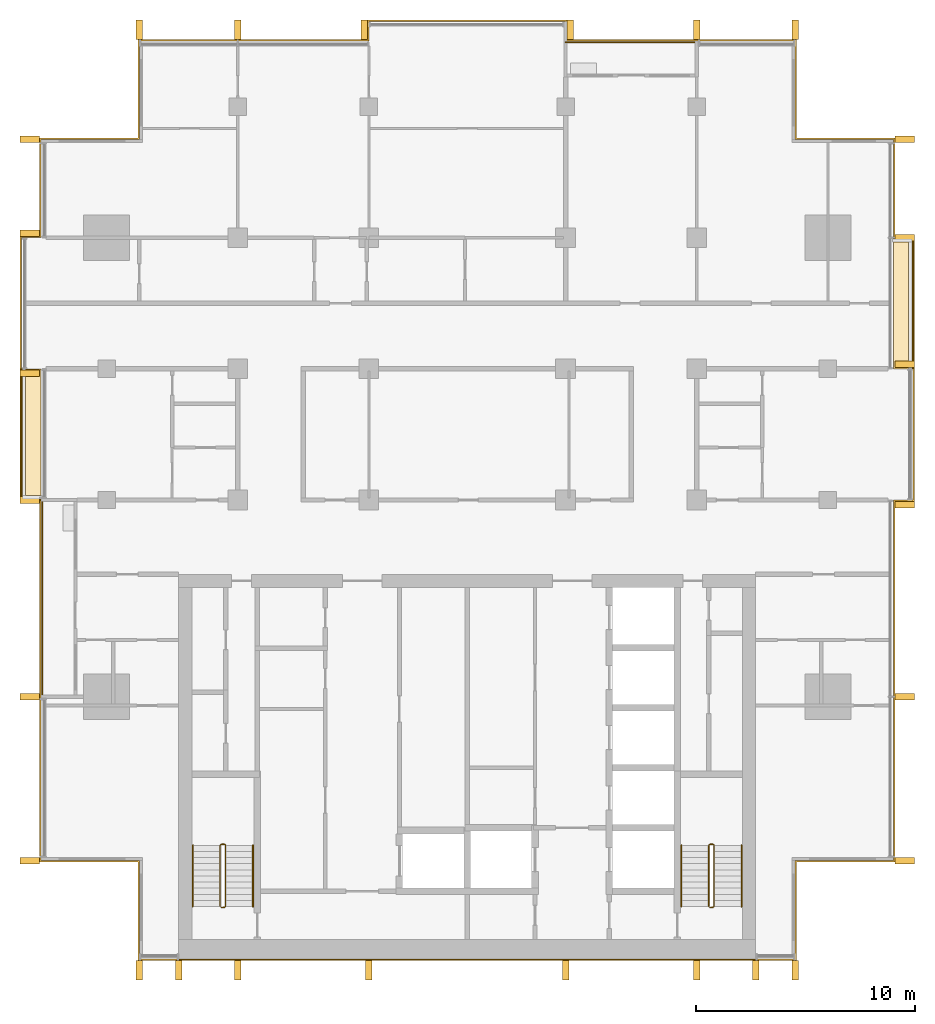
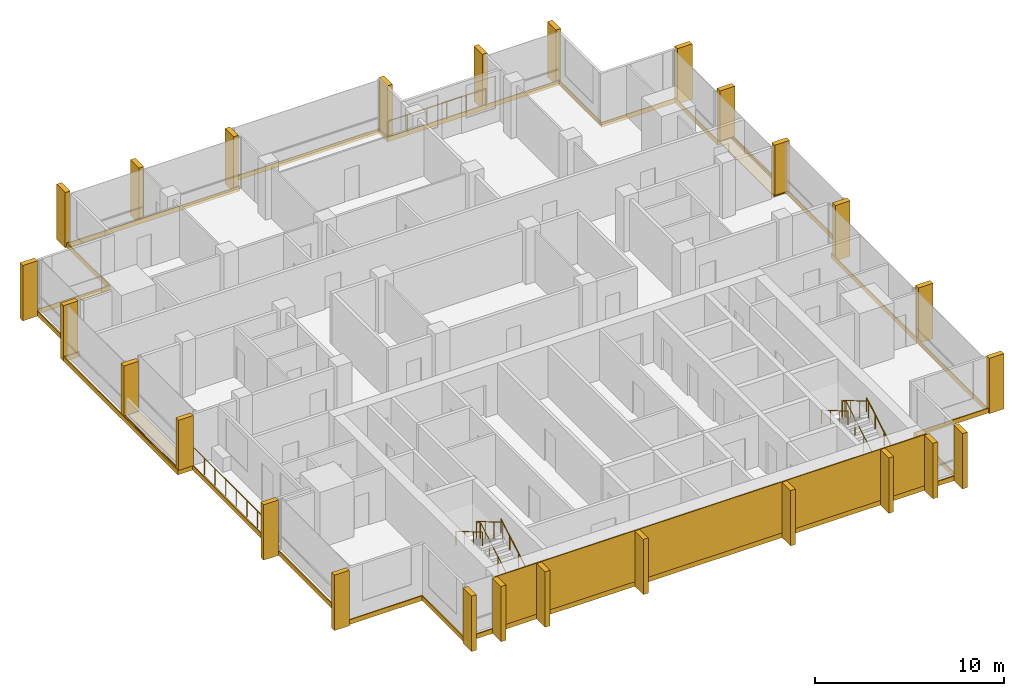
# One storey, part 16 of 16: 26 shading devices, 10 coverings, 8 railings.
"""IFC4 building model written with IfcOpenShell, lengths in metres."""

from ifc_helpers import new_model, si_unit, direction, frame, origin, origin_2d, place, context, subcontext, project, spatial, polyline, rectangle, circle, outline, extrude, material, layer, layer_set, type_object, element, save


model = new_model("IFC4")

# Units and contexts
model_context = context("Model", 3, precision=1e-05, world=origin(), true_north=direction((0.0, 1.0)))
body_context = subcontext(model_context, "Body", "Model", "MODEL_VIEW")
ifc_project = project(units=[si_unit("LENGTHUNIT", "METRE"), si_unit("AREAUNIT", "SQUARE_METRE"), si_unit("VOLUMEUNIT", "CUBIC_METRE"), si_unit("PLANEANGLEUNIT", "RADIAN"), si_unit("MASSUNIT", "GRAM", prefix="KILO")], contexts=[model_context])

# Site, building, storey
site_placement = place(None, origin())
site = spatial("IfcSite", under=ifc_project, at=site_placement, CompositionType="ELEMENT")
building_placement = place(site_placement, origin())
building = spatial("IfcBuilding", under=site, at=building_placement, Name="Finial Court Residences", CompositionType="ELEMENT")
storey_placement = place(building_placement, frame((0.0, 0.0, 230.300048828125)))
storey = spatial("IfcBuildingStorey", under=building, at=storey_placement, Name="L58", CompositionType="ELEMENT", Elevation=230.300048828125)

# Railings
ifc_material_1 = material(Name="Bronze anodised aluminium", Category="aluminium")
railing_type_1 = type_object("IfcRailingType", Name="Balcony guard 1100", PredefinedType="GUARDRAIL", material=ifc_material_1)
railing_1_placement = place(storey_placement, frame((4.5, 16.449951171875, 0.0)))
element("IfcRailing", 1, at=railing_1_placement, inside=storey, type_object=railing_type_1, Name="E-L58-BALN4-R", PredefinedType="GUARDRAIL", context=body_context, shape_type="SweptSolid", body=[
    extrude(circle(Radius=0.02392578125, at=origin_2d()), frame((0.0, 0.0, 1.076171875), z_axis=(1.0, 0.0, 0.0), x_axis=(0.0, 1.0, 0.0)), (0.0, 0.0, 1.0), 6.0),
    extrude(circle(Radius=0.02099609375, at=origin_2d()), origin(), (0.0, 0.0, 1.0), 1.052001953125),
    extrude(circle(Radius=0.02099609375, at=origin_2d()), frame((1.199951171875, 0.0, 0.0)), (0.0, 0.0, 1.0), 1.052001953125),
    extrude(circle(Radius=0.02099609375, at=origin_2d()), frame((2.39990234375, 0.0, 0.0)), (0.0, 0.0, 1.0), 1.052001953125),
    extrude(circle(Radius=0.02099609375, at=origin_2d()), frame((3.60009765625, 0.0, 0.0)), (0.0, 0.0, 1.0), 1.052001953125),
    extrude(circle(Radius=0.02099609375, at=origin_2d()), frame((4.800048828125, 0.0, 0.0)), (0.0, 0.0, 1.0), 1.052001953125),
    extrude(circle(Radius=0.02099609375, at=origin_2d()), frame((6.0, 0.0, 0.0)), (0.0, 0.0, 1.0), 1.052001953125),
])
railing_2_placement = place(storey_placement, frame((-19.449951171875, -13.5, 0.0)))
element("IfcRailing", 2, at=railing_2_placement, inside=storey, type_object=railing_type_1, Name="E-L58-BALW2-R", PredefinedType="GUARDRAIL", context=body_context, shape_type="SweptSolid", body=[
    extrude(circle(Radius=0.02392578125, at=origin_2d()), frame((0.0, 0.0, 1.076171875), z_axis=(0.0, 1.0, 0.0), x_axis=(-1.0, 0.0, 0.0)), (0.0, 0.0, 1.0), 9.0),
    extrude(circle(Radius=0.02099609375, at=origin_2d()), origin(), (0.0, 0.0, 1.0), 1.052001953125),
    extrude(circle(Radius=0.02099609375, at=origin_2d()), frame((0.0, 1.125, 0.0)), (0.0, 0.0, 1.0), 1.052001953125),
    extrude(circle(Radius=0.02099609375, at=origin_2d()), frame((0.0, 2.25, 0.0)), (0.0, 0.0, 1.0), 1.052001953125),
    extrude(circle(Radius=0.02099609375, at=origin_2d()), frame((0.0, 3.375, 0.0)), (0.0, 0.0, 1.0), 1.052001953125),
    extrude(circle(Radius=0.02099609375, at=origin_2d()), frame((0.0, 4.5, 0.0)), (0.0, 0.0, 1.0), 1.052001953125),
    extrude(circle(Radius=0.02099609375, at=origin_2d()), frame((0.0, 5.625, 0.0)), (0.0, 0.0, 1.0), 1.052001953125),
    extrude(circle(Radius=0.02099609375, at=origin_2d()), frame((0.0, 6.75, 0.0)), (0.0, 0.0, 1.0), 1.052001953125),
    extrude(circle(Radius=0.02099609375, at=origin_2d()), frame((0.0, 7.875, 0.0)), (0.0, 0.0, 1.0), 1.052001953125),
    extrude(circle(Radius=0.02099609375, at=origin_2d()), frame((0.0, 9.0, 0.0)), (0.0, 0.0, 1.0), 1.052001953125),
])

# Coverings
ifc_material_2 = material(Name="Natural limestone", Category="masonry")
ifc_layer_1 = layer(ifc_material_2, 0.06005859375)
ifc_layer_set_1 = layer_set([ifc_layer_1], Name="Limestone cladding to the blind core face 60")
covering_type_1 = type_object("IfcCoveringType", Name="Limestone cladding to the blind core face 60", PredefinedType="CLADDING", material=ifc_layer_set_1)
covering_1_placement = place(storey_placement, origin())
element("IfcCovering", 3, at=covering_1_placement, inside=storey, type_object=covering_type_1, Name="E-L58-CLAD1", PredefinedType="CLADDING", context=body_context, shape_type="SweptSolid", body=[
    extrude(outline(polyline([(-10.5, -25.56005859375), (-10.5, -25.5), (-13.199951171875, -25.5), (-13.199951171875, -25.56005859375), (-10.5, -25.56005859375)])), origin(), (0.0, 0.0, 1.0), 3.300048828125),
])
covering_2_placement = place(storey_placement, origin())
element("IfcCovering", 4, at=covering_2_placement, inside=storey, type_object=covering_type_1, Name="E-L58-CLAD2", PredefinedType="CLADDING", context=body_context, shape_type="SweptSolid", body=[
    extrude(outline(polyline([(-4.5, -25.56005859375), (-4.5, -25.5), (-10.5, -25.5), (-10.5, -25.56005859375), (-4.5, -25.56005859375)])), origin(), (0.0, 0.0, 1.0), 3.300048828125),
])
covering_3_placement = place(storey_placement, origin())
element("IfcCovering", 5, at=covering_3_placement, inside=storey, type_object=covering_type_1, Name="E-L58-CLAD3", PredefinedType="CLADDING", context=body_context, shape_type="SweptSolid", body=[
    extrude(outline(polyline([(4.5, -25.56005859375), (4.5, -25.5), (-4.5, -25.5), (-4.5, -25.56005859375), (4.5, -25.56005859375)])), origin(), (0.0, 0.0, 1.0), 3.300048828125),
])
covering_4_placement = place(storey_placement, origin())
element("IfcCovering", 6, at=covering_4_placement, inside=storey, type_object=covering_type_1, Name="E-L58-CLAD4", PredefinedType="CLADDING", context=body_context, shape_type="SweptSolid", body=[
    extrude(outline(polyline([(10.5, -25.56005859375), (10.5, -25.5), (4.5, -25.5), (4.5, -25.56005859375), (10.5, -25.56005859375)])), origin(), (0.0, 0.0, 1.0), 3.300048828125),
])
covering_5_placement = place(storey_placement, origin())
element("IfcCovering", 7, at=covering_5_placement, inside=storey, type_object=covering_type_1, Name="E-L58-CLAD5", PredefinedType="CLADDING", context=body_context, shape_type="SweptSolid", body=[
    extrude(outline(polyline([(13.199951171875, -25.56005859375), (13.199951171875, -25.5), (10.5, -25.5), (10.5, -25.56005859375), (13.199951171875, -25.56005859375)])), origin(), (0.0, 0.0, 1.0), 3.300048828125),
])

# Shading devices
shading_device_type = type_object("IfcShadingDeviceType", Name="Limestone fin 300 x 900", PredefinedType="USERDEFINED", material=ifc_material_2)
for number, where, z_axis, x_axis, name in (
    (8, (-15.0, 17.010009765625, -0.300048828125), (0.0, 0.0, 1.0), (1.0, 0.0, 0.0), "E-L58-FIN-N1"),
    (9, (-10.5, 17.010009765625, -0.300048828125), (0.0, 0.0, 1.0), (1.0, 0.0, 0.0), "E-L58-FIN-N2"),
    (10, (-4.7099609375, 17.010009765625, -0.300048828125), (0.0, 0.0, 1.0), (1.0, 0.0, 0.0), "E-L58-FIN-N3"),
    (11, (4.7099609375, 17.010009765625, -0.300048828125), (0.0, 0.0, 1.0), (1.0, 0.0, 0.0), "E-L58-FIN-N4"),
    (12, (10.5, 17.010009765625, -0.300048828125), (0.0, 0.0, 1.0), (1.0, 0.0, 0.0), "E-L58-FIN-N5"),
    (13, (15.0, 17.010009765625, -0.300048828125), (0.0, 0.0, 1.0), (1.0, 0.0, 0.0), "E-L58-FIN-N6"),
):
    element("IfcShadingDevice", number, at=place(storey_placement, frame(where, z_axis=z_axis, x_axis=x_axis)), inside=storey, type_object=shading_device_type, Name=name, ObjectType="FIN", PredefinedType="USERDEFINED", context=body_context, shape_type="SweptSolid", body=[
        extrude(rectangle(XDim=0.300048828125, YDim=0.89990234375, at=origin_2d()), origin(), (0.0, 0.0, 1.0), 3.580078125),
    ])
for number, where, z_axis, x_axis, name in (
    (14, (20.010009765625, -21.0, -0.300048828125), (0.0, 0.0, 1.0), (1.0, 0.0, 0.0), "E-L58-FIN-E7"),
    (15, (20.010009765625, -13.5, -0.300048828125), (0.0, 0.0, 1.0), (1.0, 0.0, 0.0), "E-L58-FIN-E8"),
    (16, (20.010009765625, -4.7099609375, -0.300048828125), (0.0, 0.0, 1.0), (1.0, 0.0, 0.0), "E-L58-FIN-E9"),
):
    element("IfcShadingDevice", number, at=place(storey_placement, frame(where, z_axis=z_axis, x_axis=x_axis)), inside=storey, type_object=shading_device_type, Name=name, ObjectType="FIN", PredefinedType="USERDEFINED", context=body_context, shape_type="SweptSolid", body=[
        extrude(rectangle(XDim=0.89990234375, YDim=0.300048828125, at=origin_2d()), origin(), (0.0, 0.0, 1.0), 3.580078125),
    ])
for number, where, z_axis, x_axis, name in (
    (17, (20.010009765625, 1.7099609375, 0.0400390625), (0.0, 0.0, 1.0), (1.0, 0.0, 0.0), "E-L58-FIN-E10"),
    (18, (20.010009765625, 7.5, 0.0400390625), (0.0, 0.0, 1.0), (1.0, 0.0, 0.0), "E-L58-FIN-E11"),
):
    element("IfcShadingDevice", number, at=place(storey_placement, frame(where, z_axis=z_axis, x_axis=x_axis)), inside=storey, type_object=shading_device_type, Name=name, ObjectType="FIN", PredefinedType="USERDEFINED", context=body_context, shape_type="SweptSolid", body=[
        extrude(rectangle(XDim=0.89990234375, YDim=0.300048828125, at=origin_2d()), origin(), (0.0, 0.0, 1.0), 3.239990234375),
    ])
shading_device_placement = place(storey_placement, frame((20.010009765625, 12.0, -0.300048828125), z_axis=(0.0, 0.0, 1.0), x_axis=(1.0, 0.0, 0.0)))
element("IfcShadingDevice", 19, at=shading_device_placement, inside=storey, type_object=shading_device_type, Name="E-L58-FIN-E12", ObjectType="FIN", PredefinedType="USERDEFINED", context=body_context, shape_type="SweptSolid", body=[
    extrude(rectangle(XDim=0.89990234375, YDim=0.300048828125, at=origin_2d()), origin(), (0.0, 0.0, 1.0), 3.580078125),
])
for number, where, z_axis, x_axis, name in (
    (20, (-15.0, -26.010009765625, -0.300048828125), (0.0, 0.0, 1.0), (1.0, 0.0, 0.0), "E-L58-FIN-S13"),
    (21, (-13.199951171875, -26.010009765625, -0.300048828125), (0.0, 0.0, 1.0), (1.0, 0.0, 0.0), "E-L58-FIN-S14"),
    (22, (-10.5, -26.010009765625, -0.300048828125), (0.0, 0.0, 1.0), (1.0, 0.0, 0.0), "E-L58-FIN-S15"),
    (23, (-4.5, -26.010009765625, -0.300048828125), (0.0, 0.0, 1.0), (1.0, 0.0, 0.0), "E-L58-FIN-S16"),
    (24, (4.5, -26.010009765625, -0.300048828125), (0.0, 0.0, 1.0), (1.0, 0.0, 0.0), "E-L58-FIN-S17"),
    (25, (10.5, -26.010009765625, -0.300048828125), (0.0, 0.0, 1.0), (1.0, 0.0, 0.0), "E-L58-FIN-S18"),
    (26, (13.199951171875, -26.010009765625, -0.300048828125), (0.0, 0.0, 1.0), (1.0, 0.0, 0.0), "E-L58-FIN-S19"),
    (27, (15.0, -26.010009765625, -0.300048828125), (0.0, 0.0, 1.0), (1.0, 0.0, 0.0), "E-L58-FIN-S20"),
):
    element("IfcShadingDevice", number, at=place(storey_placement, frame(where, z_axis=z_axis, x_axis=x_axis)), inside=storey, type_object=shading_device_type, Name=name, ObjectType="FIN", PredefinedType="USERDEFINED", context=body_context, shape_type="SweptSolid", body=[
        extrude(rectangle(XDim=0.300048828125, YDim=0.89990234375, at=origin_2d()), origin(), (0.0, 0.0, 1.0), 3.580078125),
    ])
for number, where, z_axis, x_axis, name in (
    (28, (-20.010009765625, -21.0, -0.300048828125), (0.0, 0.0, 1.0), (1.0, 0.0, 0.0), "E-L58-FIN-W21"),
    (29, (-20.010009765625, -13.5, -0.300048828125), (0.0, 0.0, 1.0), (1.0, 0.0, 0.0), "E-L58-FIN-W22"),
):
    element("IfcShadingDevice", number, at=place(storey_placement, frame(where, z_axis=z_axis, x_axis=x_axis)), inside=storey, type_object=shading_device_type, Name=name, ObjectType="FIN", PredefinedType="USERDEFINED", context=body_context, shape_type="SweptSolid", body=[
        extrude(rectangle(XDim=0.89990234375, YDim=0.300048828125, at=origin_2d()), origin(), (0.0, 0.0, 1.0), 3.580078125),
    ])
for number, where, z_axis, x_axis, name in (
    (30, (-20.010009765625, -4.5, 0.0400390625), (0.0, 0.0, 1.0), (1.0, 0.0, 0.0), "E-L58-FIN-W23"),
    (31, (-20.010009765625, 1.2900390625, 0.0400390625), (0.0, 0.0, 1.0), (1.0, 0.0, 0.0), "E-L58-FIN-W24"),
):
    element("IfcShadingDevice", number, at=place(storey_placement, frame(where, z_axis=z_axis, x_axis=x_axis)), inside=storey, type_object=shading_device_type, Name=name, ObjectType="FIN", PredefinedType="USERDEFINED", context=body_context, shape_type="SweptSolid", body=[
        extrude(rectangle(XDim=0.89990234375, YDim=0.300048828125, at=origin_2d()), origin(), (0.0, 0.0, 1.0), 3.239990234375),
    ])
for number, where, z_axis, x_axis, name in (
    (32, (-20.010009765625, 7.7099609375, -0.300048828125), (0.0, 0.0, 1.0), (1.0, 0.0, 0.0), "E-L58-FIN-W25"),
    (33, (-20.010009765625, 12.0, -0.300048828125), (0.0, 0.0, 1.0), (1.0, 0.0, 0.0), "E-L58-FIN-W26"),
):
    element("IfcShadingDevice", number, at=place(storey_placement, frame(where, z_axis=z_axis, x_axis=x_axis)), inside=storey, type_object=shading_device_type, Name=name, ObjectType="FIN", PredefinedType="USERDEFINED", context=body_context, shape_type="SweptSolid", body=[
        extrude(rectangle(XDim=0.89990234375, YDim=0.300048828125, at=origin_2d()), origin(), (0.0, 0.0, 1.0), 3.580078125),
    ])

# Coverings
ifc_material_3 = material(Name="Pale limestone", Category="masonry")
ifc_layer_2 = layer(ifc_material_3, 0.06005859375)
ifc_layer_set_2 = layer_set([ifc_layer_2], Name="Pale limestone slab-edge band 60")
covering_type_2 = type_object("IfcCoveringType", Name="Pale limestone slab-edge band 60", PredefinedType="CLADDING", material=ifc_layer_set_2)
covering_6_placement = place(storey_placement, frame((0.0, 0.0, -0.300048828125)))
element("IfcCovering", 34, at=covering_6_placement, inside=storey, type_object=covering_type_2, Name="E-L58-BAND1", PredefinedType="CLADDING", context=body_context, shape_type="SweptSolid", body=[
    extrude(outline(polyline([(-19.56005859375, 7.56005859375), (-19.56005859375, 12.06005859375), (-15.06005859375, 12.06005859375), (-15.06005859375, 16.56005859375), (-4.56005859375, 16.56005859375), (-4.56005859375, 17.4599609375), (4.56005859375, 17.4599609375), (4.56005859375, 16.56005859375), (15.06005859375, 16.56005859375), (15.06005859375, 12.06005859375), (19.56005859375, 12.06005859375), (19.56005859375, 7.56005859375), (20.4599609375, 7.56005859375), (20.4599609375, -4.56005859375), (19.56005859375, -4.56005859375), (19.56005859375, -21.06005859375), (15.06005859375, -21.06005859375), (15.06005859375, -25.56005859375), (-15.06005859375, -25.56005859375), (-15.06005859375, -21.06005859375), (-19.56005859375, -21.06005859375), (-19.56005859375, -4.56005859375), (-20.4599609375, -4.56005859375), (-20.4599609375, 7.56005859375), (-19.56005859375, 7.56005859375)]), holes=[polyline([(-20.39990234375, 1.5), (-20.39990234375, -4.5), (-19.5, -4.5), (-19.5, -13.5), (-19.5, -21.0), (-15.0, -21.0), (-15.0, -25.5), (15.0, -25.5), (15.0, -21.0), (19.5, -21.0), (19.5, -4.5), (20.39990234375, -4.5), (20.39990234375, 1.5), (20.39990234375, 7.5), (19.5, 7.5), (19.5, 12.0), (15.0, 12.0), (15.0, 16.5), (10.5, 16.5), (4.5, 16.5), (4.5, 17.39990234375), (-4.5, 17.39990234375), (-4.5, 16.5), (-15.0, 16.5), (-15.0, 12.0), (-19.5, 12.0), (-19.5, 7.5), (-20.39990234375, 7.5), (-20.39990234375, 1.5)])]), origin(), (0.0, 0.0, 1.0), 0.300048828125),
])
ifc_material_4 = material(Name="Bitumen membrane")
ifc_layer_3 = layer(ifc_material_4, 0.0400390625)
ifc_layer_set_3 = layer_set([ifc_layer_3], Name="Push box roofing, bitumen membrane 40")
covering_type_3 = type_object("IfcCoveringType", Name="Push box roofing, bitumen membrane 40", PredefinedType="ROOFING", material=ifc_layer_set_3)
covering_7_placement = place(storey_placement, origin())
element("IfcCovering", 35, at=covering_7_placement, inside=storey, type_object=covering_type_3, Name="E-L58-LED1", PredefinedType="ROOFING", context=body_context, shape_type="SweptSolid", body=[
    extrude(outline(polyline([(-19.5, -4.300048828125), (-20.199951171875, -4.300048828125), (-20.199951171875, 1.5), (-19.5, 1.5), (-19.5, -4.300048828125)])), origin(), (0.0, 0.0, 1.0), 0.0400390625),
])
covering_8_placement = place(storey_placement, origin())
element("IfcCovering", 36, at=covering_8_placement, inside=storey, type_object=covering_type_3, Name="E-L58-LED1b", PredefinedType="ROOFING", context=body_context, shape_type="SweptSolid", body=[
    extrude(outline(polyline([(-19.5, -4.5), (-20.39990234375, -4.5), (-20.39990234375, 1.5), (-20.35009765625, 1.5), (-20.35009765625, -4.300048828125), (-20.35009765625, -4.300048828125), (-20.35009765625, -4.449951171875), (-19.5, -4.449951171875), (-19.5, -4.5)])), origin(), (0.0, 0.0, 1.0), 0.0400390625),
])
covering_9_placement = place(storey_placement, origin())
element("IfcCovering", 37, at=covering_9_placement, inside=storey, type_object=covering_type_3, Name="E-L58-LED2", PredefinedType="ROOFING", context=body_context, shape_type="SweptSolid", body=[
    extrude(outline(polyline([(19.5, 7.300048828125), (20.199951171875, 7.300048828125), (20.199951171875, 1.5), (19.5, 1.5), (19.5, 7.300048828125)])), origin(), (0.0, 0.0, 1.0), 0.0400390625),
])
covering_10_placement = place(storey_placement, origin())
element("IfcCovering", 38, at=covering_10_placement, inside=storey, type_object=covering_type_3, Name="E-L58-LED2b", PredefinedType="ROOFING", context=body_context, shape_type="SweptSolid", body=[
    extrude(outline(polyline([(19.5, 7.5), (20.39990234375, 7.5), (20.39990234375, 1.5), (20.35009765625, 1.5), (20.35009765625, 7.300048828125), (20.35009765625, 7.300048828125), (20.35009765625, 7.449951171875), (19.5, 7.449951171875), (19.5, 7.5)])), origin(), (0.0, 0.0, 1.0), 0.0400390625),
])

# Railings
ifc_material_5 = material(Name="Stainless steel railing", Category="steel")
railing_type_2 = type_object("IfcRailingType", Name="Stair guard 1100", PredefinedType="GUARDRAIL", material=ifc_material_5)
railing_3_placement = place(storey_placement, frame((-11.10009765625, -23.14990234375, 0.0)))
element("IfcRailing", 39, at=railing_3_placement, inside=storey, type_object=railing_type_2, Name="L58 ST-1 stair guard 1", PredefinedType="GUARDRAIL", context=body_context, shape_type="SweptSolid", body=[
    extrude(circle(Radius=0.02392578125, at=origin_2d()), frame((0.0, 0.0, 1.076171875), z_axis=(-1.0, 0.0, 0.0), x_axis=(0.0, -1.0, 0.0)), (0.0, 0.0, 1.0), 0.14990234375),
    extrude(circle(Radius=0.02392578125, at=origin_2d()), frame((-0.14990234375, 0.0, 1.076171875), z_axis=(0.760004195007, 0.189305074214, 0.621737253547), x_axis=(-0.241699205484, 0.970351222016, 0.0)), (0.0, 0.0, 1.0), 0.26318359375),
    extrude(circle(Radius=0.02392578125, at=origin_2d()), frame((0.050048828125, 0.0498046875, 1.23974609375), z_axis=(0.0, 0.863360870873, 0.504586966384), x_axis=(-1.0, 0.0, 0.0)), (0.0, 0.0, 1.0), 3.2431640625),
    extrude(circle(Radius=0.02392578125, at=origin_2d()), frame((0.050048828125, 2.849853515625, 2.8759765625), z_axis=(-0.707106781187, 0.707106781187, 0.0), x_axis=(-0.707106781187, -0.707106781187, 0.0)), (0.0, 0.0, 1.0), 0.07080078125),
    extrude(circle(Radius=0.02392578125, at=origin_2d()), frame((0.0, 2.89990234375, 2.8759765625), z_axis=(-1.0, 0.0, 0.0), x_axis=(0.0, -1.0, 0.0)), (0.0, 0.0, 1.0), 0.14990234375),
    extrude(circle(Radius=0.02392578125, at=origin_2d()), frame((-0.14990234375, 2.89990234375, 2.8759765625), z_axis=(-0.280808744504, -0.280808744504, 0.917765164963), x_axis=(0.707106781187, -0.707106781187, 0.0)), (0.0, 0.0, 1.0), 0.17822265625),
    extrude(circle(Radius=0.02392578125, at=origin_2d()), frame((-0.199951171875, 2.849853515625, 3.03955078125), z_axis=(0.0, -0.863393664356, 0.504530851732), x_axis=(1.0, 0.0, 0.0)), (0.0, 0.0, 1.0), 3.2431640625),
    extrude(circle(Radius=0.02099609375, at=origin_2d()), origin(), (0.0, 0.0, 1.0), 1.052001953125),
    extrude(circle(Radius=0.02099609375, at=origin_2d()), frame((-0.14990234375, 0.0, 0.0)), (0.0, 0.0, 1.0), 1.052001953125),
    extrude(circle(Radius=0.02099609375, at=origin_2d()), frame((0.050048828125, 0.0498046875, 0.16357421875)), (0.0, 0.0, 1.0), 1.052001953125),
    extrude(circle(Radius=0.02099609375, at=origin_2d()), frame((0.050048828125, 0.983154296875, 0.708984375)), (0.0, 0.0, 1.0), 1.052001953125),
    extrude(circle(Radius=0.02099609375, at=origin_2d()), frame((0.050048828125, 1.91650390625, 1.254638671875)), (0.0, 0.0, 1.0), 1.052001953125),
    extrude(circle(Radius=0.02099609375, at=origin_2d()), frame((0.050048828125, 2.849853515625, 1.800048828125)), (0.0, 0.0, 1.0), 1.052001953125),
    extrude(circle(Radius=0.02099609375, at=origin_2d()), frame((0.0, 2.89990234375, 1.800048828125)), (0.0, 0.0, 1.0), 1.052001953125),
    extrude(circle(Radius=0.02099609375, at=origin_2d()), frame((-0.14990234375, 2.89990234375, 1.800048828125)), (0.0, 0.0, 1.0), 1.052001953125),
    extrude(circle(Radius=0.02099609375, at=origin_2d()), frame((-0.199951171875, 2.849853515625, 1.963623046875)), (0.0, 0.0, 1.0), 1.052001953125),
    extrude(circle(Radius=0.02099609375, at=origin_2d()), frame((-0.199951171875, 1.91650390625, 2.509033203125)), (0.0, 0.0, 1.0), 1.052001953125),
    extrude(circle(Radius=0.02099609375, at=origin_2d()), frame((-0.199951171875, 0.983154296875, 3.054443359375)), (0.0, 0.0, 1.0), 1.052001953125),
    extrude(circle(Radius=0.02099609375, at=origin_2d()), frame((-0.199951171875, 0.0498046875, 3.599853515625)), (0.0, 0.0, 1.0), 1.052001953125),
])
railing_4_placement = place(storey_placement, frame((11.25, -23.14990234375, 0.0)))
element("IfcRailing", 40, at=railing_4_placement, inside=storey, type_object=railing_type_2, Name="L58 ST-2 stair guard 1", PredefinedType="GUARDRAIL", context=body_context, shape_type="SweptSolid", body=[
    extrude(circle(Radius=0.02392578125, at=origin_2d()), frame((0.0, 0.0, 1.076171875), z_axis=(-1.0, 0.0, 0.0), x_axis=(0.0, -1.0, 0.0)), (0.0, 0.0, 1.0), 0.14990234375),
    extrude(circle(Radius=0.02392578125, at=origin_2d()), frame((-0.14990234375, 0.0, 1.076171875), z_axis=(0.760004195007, 0.189305074214, 0.621737253547), x_axis=(-0.241699205484, 0.970351222016, 0.0)), (0.0, 0.0, 1.0), 0.26318359375),
    extrude(circle(Radius=0.02392578125, at=origin_2d()), frame((0.050048828125, 0.0498046875, 1.23974609375), z_axis=(0.0, 0.863360870873, 0.504586966384), x_axis=(-1.0, 0.0, 0.0)), (0.0, 0.0, 1.0), 3.2431640625),
    extrude(circle(Radius=0.02392578125, at=origin_2d()), frame((0.050048828125, 2.849853515625, 2.8759765625), z_axis=(-0.707106781187, 0.707106781187, 0.0), x_axis=(-0.707106781187, -0.707106781187, 0.0)), (0.0, 0.0, 1.0), 0.07080078125),
    extrude(circle(Radius=0.02392578125, at=origin_2d()), frame((0.0, 2.89990234375, 2.8759765625), z_axis=(-1.0, 0.0, 0.0), x_axis=(0.0, -1.0, 0.0)), (0.0, 0.0, 1.0), 0.14990234375),
    extrude(circle(Radius=0.02392578125, at=origin_2d()), frame((-0.14990234375, 2.89990234375, 2.8759765625), z_axis=(-0.280808744504, -0.280808744504, 0.917765164963), x_axis=(0.707106781187, -0.707106781187, 0.0)), (0.0, 0.0, 1.0), 0.17822265625),
    extrude(circle(Radius=0.02392578125, at=origin_2d()), frame((-0.199951171875, 2.849853515625, 3.03955078125), z_axis=(0.0, -0.863393664356, 0.504530851732), x_axis=(1.0, 0.0, 0.0)), (0.0, 0.0, 1.0), 3.2431640625),
    extrude(circle(Radius=0.02099609375, at=origin_2d()), origin(), (0.0, 0.0, 1.0), 1.052001953125),
    extrude(circle(Radius=0.02099609375, at=origin_2d()), frame((-0.14990234375, 0.0, 0.0)), (0.0, 0.0, 1.0), 1.052001953125),
    extrude(circle(Radius=0.02099609375, at=origin_2d()), frame((0.050048828125, 0.0498046875, 0.16357421875)), (0.0, 0.0, 1.0), 1.052001953125),
    extrude(circle(Radius=0.02099609375, at=origin_2d()), frame((0.050048828125, 0.983154296875, 0.708984375)), (0.0, 0.0, 1.0), 1.052001953125),
    extrude(circle(Radius=0.02099609375, at=origin_2d()), frame((0.050048828125, 1.91650390625, 1.254638671875)), (0.0, 0.0, 1.0), 1.052001953125),
    extrude(circle(Radius=0.02099609375, at=origin_2d()), frame((0.050048828125, 2.849853515625, 1.800048828125)), (0.0, 0.0, 1.0), 1.052001953125),
    extrude(circle(Radius=0.02099609375, at=origin_2d()), frame((0.0, 2.89990234375, 1.800048828125)), (0.0, 0.0, 1.0), 1.052001953125),
    extrude(circle(Radius=0.02099609375, at=origin_2d()), frame((-0.14990234375, 2.89990234375, 1.800048828125)), (0.0, 0.0, 1.0), 1.052001953125),
    extrude(circle(Radius=0.02099609375, at=origin_2d()), frame((-0.199951171875, 2.849853515625, 1.963623046875)), (0.0, 0.0, 1.0), 1.052001953125),
    extrude(circle(Radius=0.02099609375, at=origin_2d()), frame((-0.199951171875, 1.91650390625, 2.509033203125)), (0.0, 0.0, 1.0), 1.052001953125),
    extrude(circle(Radius=0.02099609375, at=origin_2d()), frame((-0.199951171875, 0.983154296875, 3.054443359375)), (0.0, 0.0, 1.0), 1.052001953125),
    extrude(circle(Radius=0.02099609375, at=origin_2d()), frame((-0.199951171875, 0.0498046875, 3.599853515625)), (0.0, 0.0, 1.0), 1.052001953125),
])
railing_type_3 = type_object("IfcRailingType", Name="Stair handrail 900", PredefinedType="HANDRAIL", material=ifc_material_5)
railing_5_placement = place(storey_placement, frame((-9.800048828125, -23.10009765625, 0.16357421875)))
element("IfcRailing", 41, at=railing_5_placement, inside=storey, type_object=railing_type_3, Name="L58 ST-1 stair handrail 1", PredefinedType="HANDRAIL", context=body_context, shape_type="SweptSolid", body=[
    extrude(circle(Radius=0.02392578125, at=origin_2d()), frame((0.0, 0.0, 0.8759765625), z_axis=(0.0, 0.863360870873, 0.504586966384), x_axis=(-1.0, 0.0, 0.0)), (0.0, 0.0, 1.0), 3.2431640625),
    extrude(circle(Radius=0.02099609375, at=origin_2d()), origin(), (0.0, 0.0, 1.0), 0.851806640625),
    extrude(circle(Radius=0.02099609375, at=origin_2d()), frame((0.0, 0.933349609375, 0.54541015625)), (0.0, 0.0, 1.0), 0.851806640625),
    extrude(circle(Radius=0.02099609375, at=origin_2d()), frame((0.0, 1.86669921875, 1.091064453125)), (0.0, 0.0, 1.0), 0.851806640625),
    extrude(circle(Radius=0.02099609375, at=origin_2d()), frame((0.0, 2.800048828125, 1.636474609375)), (0.0, 0.0, 1.0), 0.851806640625),
])
railing_6_placement = place(storey_placement, frame((-12.550048828125, -20.300048828125, 1.963623046875)))
element("IfcRailing", 42, at=railing_6_placement, inside=storey, type_object=railing_type_3, Name="L58 ST-1 stair handrail 2", PredefinedType="HANDRAIL", context=body_context, shape_type="SweptSolid", body=[
    extrude(circle(Radius=0.02392578125, at=origin_2d()), frame((0.0, 0.0, 0.8759765625), z_axis=(0.0, -0.863393664356, 0.504530851732), x_axis=(1.0, 0.0, 0.0)), (0.0, 0.0, 1.0), 3.2431640625),
    extrude(circle(Radius=0.02099609375, at=origin_2d()), origin(), (0.0, 0.0, 1.0), 0.851806640625),
    extrude(circle(Radius=0.02099609375, at=origin_2d()), frame((0.0, -0.933349609375, 0.54541015625)), (0.0, 0.0, 1.0), 0.851806640625),
    extrude(circle(Radius=0.02099609375, at=origin_2d()), frame((0.0, -1.86669921875, 1.0908203125)), (0.0, 0.0, 1.0), 0.851806640625),
    extrude(circle(Radius=0.02099609375, at=origin_2d()), frame((0.0, -2.800048828125, 1.63623046875)), (0.0, 0.0, 1.0), 0.851806640625),
])
railing_7_placement = place(storey_placement, frame((12.550048828125, -23.10009765625, 0.16357421875)))
element("IfcRailing", 43, at=railing_7_placement, inside=storey, type_object=railing_type_3, Name="L58 ST-2 stair handrail 1", PredefinedType="HANDRAIL", context=body_context, shape_type="SweptSolid", body=[
    extrude(circle(Radius=0.02392578125, at=origin_2d()), frame((0.0, 0.0, 0.8759765625), z_axis=(0.0, 0.863360870873, 0.504586966384), x_axis=(-1.0, 0.0, 0.0)), (0.0, 0.0, 1.0), 3.2431640625),
    extrude(circle(Radius=0.02099609375, at=origin_2d()), origin(), (0.0, 0.0, 1.0), 0.851806640625),
    extrude(circle(Radius=0.02099609375, at=origin_2d()), frame((0.0, 0.933349609375, 0.54541015625)), (0.0, 0.0, 1.0), 0.851806640625),
    extrude(circle(Radius=0.02099609375, at=origin_2d()), frame((0.0, 1.86669921875, 1.091064453125)), (0.0, 0.0, 1.0), 0.851806640625),
    extrude(circle(Radius=0.02099609375, at=origin_2d()), frame((0.0, 2.800048828125, 1.636474609375)), (0.0, 0.0, 1.0), 0.851806640625),
])
railing_8_placement = place(storey_placement, frame((9.800048828125, -20.300048828125, 1.963623046875)))
element("IfcRailing", 44, at=railing_8_placement, inside=storey, type_object=railing_type_3, Name="L58 ST-2 stair handrail 2", PredefinedType="HANDRAIL", context=body_context, shape_type="SweptSolid", body=[
    extrude(circle(Radius=0.02392578125, at=origin_2d()), frame((0.0, 0.0, 0.8759765625), z_axis=(0.0, -0.863393664356, 0.504530851732), x_axis=(1.0, 0.0, 0.0)), (0.0, 0.0, 1.0), 3.2431640625),
    extrude(circle(Radius=0.02099609375, at=origin_2d()), origin(), (0.0, 0.0, 1.0), 0.851806640625),
    extrude(circle(Radius=0.02099609375, at=origin_2d()), frame((0.0, -0.933349609375, 0.54541015625)), (0.0, 0.0, 1.0), 0.851806640625),
    extrude(circle(Radius=0.02099609375, at=origin_2d()), frame((0.0, -1.86669921875, 1.0908203125)), (0.0, 0.0, 1.0), 0.851806640625),
    extrude(circle(Radius=0.02099609375, at=origin_2d()), frame((0.0, -2.800048828125, 1.63623046875)), (0.0, 0.0, 1.0), 0.851806640625),
])

save(model, "model.ifc")
